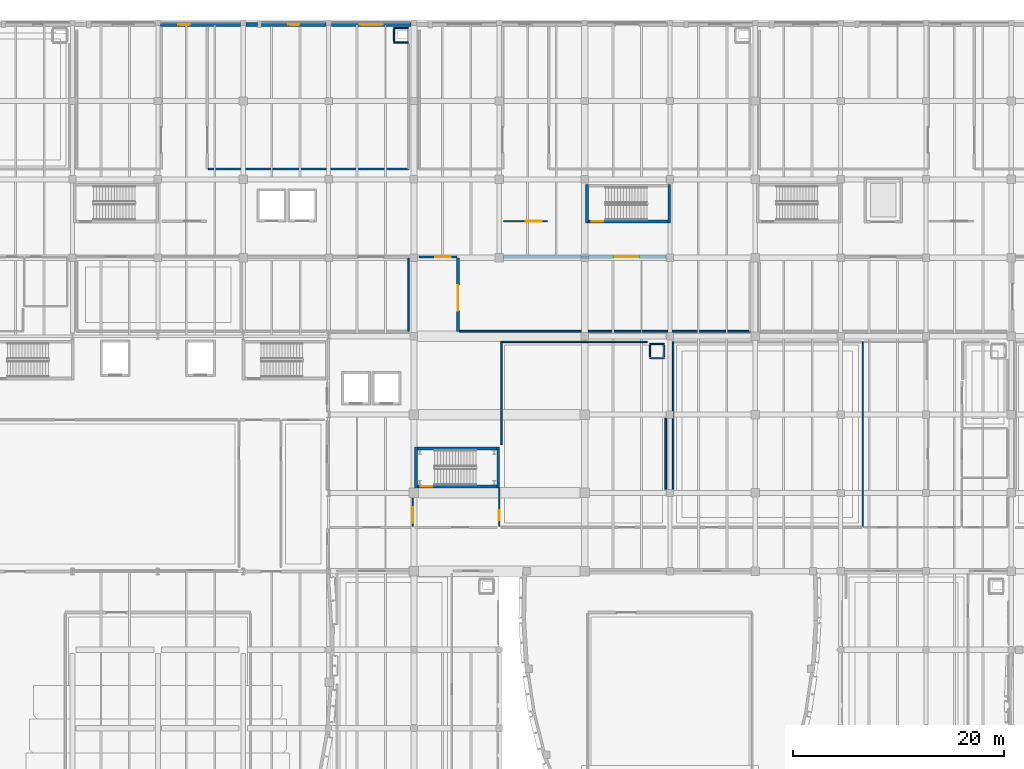
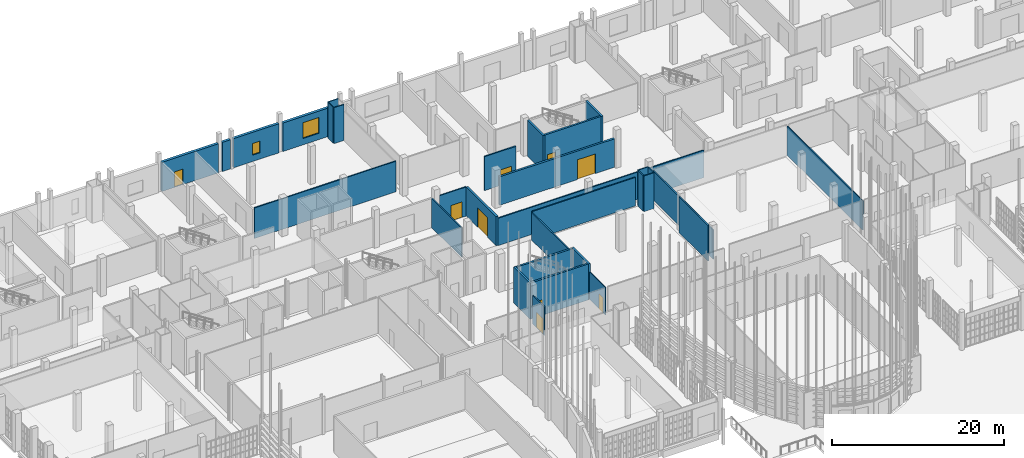
# One storey, part 355 of 372: 32 walls, 9 doors, 2 windows, 11 openings.
"""IFC4 building model written with IfcOpenShell, lengths in metres."""

from ifc_helpers import new_model, si_unit, direction, frame, frame_2d, origin, place, context, subcontext, project, spatial, rectangle, extrude, material, layer, layer_set, type_object, element, fill, save


model = new_model("IFC4")

# Units and contexts
model_context = context("Model", 3, precision=1e-05, world=origin(), true_north=direction((0.0, 1.0)))
body_context = subcontext(model_context, "Body", "Model", "MODEL_VIEW")
ifc_project = project(units=[si_unit("LENGTHUNIT", "METRE"), si_unit("AREAUNIT", "SQUARE_METRE"), si_unit("VOLUMEUNIT", "CUBIC_METRE"), si_unit("PLANEANGLEUNIT", "RADIAN"), si_unit("MASSUNIT", "GRAM", prefix="KILO")], contexts=[model_context])

# Site, building, storey
site_placement = place(None, origin())
site = spatial("IfcSite", under=ifc_project, at=site_placement, CompositionType="ELEMENT")
building_placement = place(site_placement, origin())
building = spatial("IfcBuilding", under=site, at=building_placement, Name="Kaelora Sail Theatre", CompositionType="ELEMENT")
storey_placement = place(building_placement, origin())
storey = spatial("IfcBuildingStorey", under=building, at=storey_placement, Name="L00", CompositionType="ELEMENT", Elevation=0.0)

# Wall, opening, door
ifc_material_1 = material(Name="Concrete C40/50", Category="concrete")
ifc_layer_1 = layer(ifc_material_1, 0.25)
ifc_layer_set_1 = layer_set([ifc_layer_1], Name="Concrete C40/50")
wall_type_1 = type_object("IfcWallType", Name="ARC-WL-CW-250", PredefinedType="SHEAR", material=ifc_layer_set_1)
wall_1_placement = place(storey_placement, frame((82.85498046875, 94.22509765625, 0.0), z_axis=(0.0, 0.0, 1.0), x_axis=(1.0, 0.0, 0.0)))
wall_1 = element("IfcWall", 1, at=wall_1_placement, inside=storey, type_object=wall_type_1, Name="Stair shaft ST-K3 wall L00-S", PredefinedType="SHEAR", context=body_context, shape_type="SweptSolid", body=[
    extrude(rectangle(XDim=7.5400390625, YDim=0.25, at=frame_2d((3.77001953125, 0.0))), origin(), (0.0, 0.0, 1.0), 5.10498046875),
])
opening_1_placement = place(wall_1_placement, frame((0.320068359375, 0.0, 0.0)))
opening_1 = element("IfcOpeningElement", 2, at=opening_1_placement, cuts=wall_1, Name="Opening FD-02", PredefinedType="OPENING", context=body_context, shape_type="SweptSolid", body=[
    extrude(rectangle(XDim=1.10009765625, YDim=2.199951171875, at=frame_2d((0.550048828125, 1.10009765625))), frame((0.0, 0.135, 0.0), z_axis=(0.0, -1.0, 0.0), x_axis=(1.0, 0.0, 0.0)), (0.0, 0.0, 1.0), 0.27),
])
ifc_material_2 = material(Name="Acoustic steel single stair/lobby fire door EI 90-C", Category="steel")
door_type_1 = type_object("IfcDoorType", Name="ARC-DR-FD-02", OperationType="NOTDEFINED", PredefinedType="DOOR", material=ifc_material_2)
door_1_placement = place(opening_1_placement, origin())
door_1 = element("IfcDoor", 3, at=door_1_placement, inside=storey, type_object=door_type_1, Name="Stair ST-K3 door (L00)", OperationType="SINGLE_SWING_RIGHT", OverallHeight=2.199951171875, OverallWidth=1.10009765625, PredefinedType="DOOR", context=body_context, shape_type="SweptSolid", body=[
    extrude(rectangle(XDim=1.10009765625, YDim=2.199951171875, at=frame_2d((0.550048828125, 1.10009765625))), frame((0.0, 0.02490234375, 0.0), z_axis=(0.0, -1.0, 0.0), x_axis=(1.0, 0.0, 0.0)), (0.0, 0.0, 1.0), 0.050048828125),
])
fill(opening_1, door_1)

# Walls
for number, where, z_axis, x_axis, name in (
    (4, (82.72509765625, 94.10009765625, 0.0), (0.0, 0.0, 1.0), (0.0, 1.0, 0.0), "Stair shaft ST-K3 wall L00-W"),
    (5, (90.52490234375, 94.10009765625, 0.0), (0.0, 0.0, 1.0), (0.0, 1.0, 0.0), "Stair shaft ST-K3 wall L00-E"),
):
    element("IfcWall", number, at=place(storey_placement, frame(where, z_axis=z_axis, x_axis=x_axis)), inside=storey, type_object=wall_type_1, Name=name, PredefinedType="SHEAR", context=body_context, shape_type="SweptSolid", body=[
        extrude(rectangle(XDim=3.64990234375, YDim=0.25, at=frame_2d((1.824951171875, 0.0))), origin(), (0.0, 0.0, 1.0), 5.10498046875),
    ])

# Wall, opening, door
wall_2_placement = place(storey_placement, frame((66.625, 69.074951171875, 0.0), z_axis=(0.0, 0.0, 1.0), x_axis=(1.0, 0.0, 0.0)))
wall_2 = element("IfcWall", 6, at=wall_2_placement, inside=storey, type_object=wall_type_1, Name="Stair shaft ST-F1 wall L00-S", PredefinedType="SHEAR", context=body_context, shape_type="SweptSolid", body=[
    extrude(rectangle(XDim=7.5400390625, YDim=0.25, at=frame_2d((3.77001953125, 0.0))), origin(), (0.0, 0.0, 1.0), 5.10498046875),
])
opening_2_placement = place(wall_2_placement, frame((0.320068359375, 0.0, 0.0)))
opening_2 = element("IfcOpeningElement", 7, at=opening_2_placement, cuts=wall_2, Name="Opening FD-02", PredefinedType="OPENING", context=body_context, shape_type="SweptSolid", body=[
    extrude(rectangle(XDim=1.10009765625, YDim=2.199951171875, at=frame_2d((0.550048828125, 1.10009765625))), frame((0.0, 0.135, 0.0), z_axis=(0.0, -1.0, 0.0), x_axis=(1.0, 0.0, 0.0)), (0.0, 0.0, 1.0), 0.27),
])
door_2_placement = place(opening_2_placement, origin())
door_2 = element("IfcDoor", 8, at=door_2_placement, inside=storey, type_object=door_type_1, Name="Stair ST-F1 door (L00)", OperationType="SINGLE_SWING_RIGHT", OverallHeight=2.199951171875, OverallWidth=1.10009765625, PredefinedType="DOOR", context=body_context, shape_type="SweptSolid", body=[
    extrude(rectangle(XDim=1.10009765625, YDim=2.199951171875, at=frame_2d((0.550048828125, 1.10009765625))), frame((0.0, 0.02490234375, 0.0), z_axis=(0.0, -1.0, 0.0), x_axis=(1.0, 0.0, 0.0)), (0.0, 0.0, 1.0), 0.050048828125),
])
fill(opening_2, door_2)

# Walls
wall_3_placement = place(storey_placement, frame((66.625, 72.675048828125, 0.0), z_axis=(0.0, 0.0, 1.0), x_axis=(1.0, 0.0, 0.0)))
element("IfcWall", 9, at=wall_3_placement, inside=storey, type_object=wall_type_1, Name="Stair shaft ST-F1 wall L00-N", PredefinedType="SHEAR", context=body_context, shape_type="SweptSolid", body=[
    extrude(rectangle(XDim=7.5400390625, YDim=0.25, at=frame_2d((3.77001953125, 0.0))), origin(), (0.0, 0.0, 1.0), 5.10498046875),
])
for number, where, z_axis, x_axis, name in (
    (10, (66.4951171875, 68.949951171875, 0.0), (0.0, 0.0, 1.0), (0.0, 1.0, 0.0), "Stair shaft ST-F1 wall L00-W"),
    (11, (74.294921875, 68.949951171875, 0.0), (0.0, 0.0, 1.0), (0.0, 1.0, 0.0), "Stair shaft ST-F1 wall L00-E"),
):
    element("IfcWall", number, at=place(storey_placement, frame(where, z_axis=z_axis, x_axis=x_axis)), inside=storey, type_object=wall_type_1, Name=name, PredefinedType="SHEAR", context=body_context, shape_type="SweptSolid", body=[
        extrude(rectangle(XDim=3.85009765625, YDim=0.25, at=frame_2d((1.925048828125, 0.0))), origin(), (0.0, 0.0, 1.0), 5.10498046875),
    ])

# Wall, opening, door
ifc_material_3 = material(Name="Concrete C45/55", Category="concrete")
ifc_layer_2 = layer(ifc_material_3, 0.35009765625)
ifc_layer_set_2 = layer_set([ifc_layer_2], Name="Concrete C45/55")
wall_type_2 = type_object("IfcWallType", Name="ARC-WL-EW-350", PredefinedType="SOLIDWALL", material=ifc_layer_set_2)
wall_4_placement = place(storey_placement, frame((42.2548828125, 112.919921875, 0.0), z_axis=(0.0, 0.0, 1.0), x_axis=(1.0, 0.0, 0.0)))
wall_4 = element("IfcWall", 12, at=wall_4_placement, inside=storey, type_object=wall_type_2, Name="North Conservatory/Production Facade Wall L00 B06", PredefinedType="SOLIDWALL", context=body_context, shape_type="SweptSolid", body=[
    extrude(rectangle(XDim=7.590087890625, YDim=0.35009765625, at=frame_2d((3.794921875, 0.0))), origin(), (0.0, 0.0, 1.0), 4.136962890625),
])
opening_3_placement = place(wall_4_placement, frame((1.695068359375, 0.0, 0.0)))
opening_3 = element("IfcOpeningElement", 13, at=opening_3_placement, cuts=wall_4, Name="Opening ED-03", PredefinedType="OPENING", context=body_context, shape_type="SweptSolid", body=[
    extrude(rectangle(XDim=1.10009765625, YDim=2.199951171875, at=frame_2d((0.550048828125, 1.10009765625))), frame((0.0, 0.185049, 0.0), z_axis=(0.0, -1.0, 0.0), x_axis=(1.0, 0.0, 0.0)), (0.0, 0.0, 1.0), 0.370098),
])
ifc_material_4 = material(Name="External acoustic steel single exit door", Category="steel")
door_type_2 = type_object("IfcDoorType", Name="ARC-DR-ED-03", OperationType="NOTDEFINED", PredefinedType="DOOR", material=ifc_material_4)
door_3_placement = place(opening_3_placement, origin())
door_3 = element("IfcDoor", 14, at=door_3_placement, inside=storey, type_object=door_type_2, Name="North protected final exit door B06", OperationType="SINGLE_SWING_LEFT", OverallHeight=2.199951171875, OverallWidth=1.10009765625, PredefinedType="DOOR", context=body_context, shape_type="SweptSolid", body=[
    extrude(rectangle(XDim=1.10009765625, YDim=2.199951171875, at=frame_2d((0.550048828125, 1.10009765625))), frame((0.0, 0.02490234375, 0.0), z_axis=(0.0, -1.0, 0.0), x_axis=(1.0, 0.0, 0.0)), (0.0, 0.0, 1.0), 0.050048828125),
])
fill(opening_3, door_3)

# Wall, opening, window
wall_5_placement = place(storey_placement, frame((51.85498046875, 112.919921875, 0.0), z_axis=(0.0, 0.0, 1.0), x_axis=(1.0, 0.0, 0.0)))
wall_5 = element("IfcWall", 15, at=wall_5_placement, inside=storey, type_object=wall_type_2, Name="North Conservatory/Production Facade Wall L00 B07", PredefinedType="SOLIDWALL", context=body_context, shape_type="SweptSolid", body=[
    extrude(rectangle(XDim=6.090087890625, YDim=0.35009765625, at=frame_2d((3.044921875, 0.0))), origin(), (0.0, 0.0, 1.0), 4.136962890625),
])
opening_4_placement = place(wall_5_placement, frame((2.52001953125, 0.0, 0.89990234375)))
opening_4 = element("IfcOpeningElement", 16, at=opening_4_placement, cuts=wall_5, Name="Opening W-21", PredefinedType="OPENING", context=body_context, shape_type="SweptSolid", body=[
    extrude(rectangle(XDim=1.050048828125, YDim=1.64990234375, at=frame_2d((0.52490234375, 0.824951171875))), frame((0.0, 0.185049, 0.0), z_axis=(0.0, -1.0, 0.0), x_axis=(1.0, 0.0, 0.0)), (0.0, 0.0, 1.0), 0.370098),
])
ifc_material_5 = material(Name="Thermally broken aluminium and low-E double glazing", Category="aluminium")
window_type_1 = type_object("IfcWindowType", Name="ARC-WIN-W-21", PartitioningType="SINGLE_PANEL", PredefinedType="WINDOW", material=ifc_material_5)
window_1_placement = place(opening_4_placement, origin())
window_1 = element("IfcWindow", 17, at=window_1_placement, inside=storey, type_object=window_type_1, Name="North facade window L00 B07", OverallHeight=1.64990234375, OverallWidth=1.050048828125, PartitioningType="SINGLE_PANEL", PredefinedType="WINDOW", context=body_context, shape_type="SweptSolid", body=[
    extrude(rectangle(XDim=1.050048828125, YDim=1.64990234375, at=frame_2d((0.52490234375, 0.824951171875))), frame((0.0, 0.030029296875, 0.0), z_axis=(0.0, -1.0, 0.0), x_axis=(1.0, 0.0, 0.0)), (0.0, 0.0, 1.0), 0.06005859375),
])
fill(opening_4, window_1)

# Wall
wall_6_placement = place(storey_placement, frame((50.35498046875, 112.919921875, 0.0), z_axis=(0.0, 0.0, 1.0), x_axis=(1.0, 0.0, 0.0)))
element("IfcWall", 18, at=wall_6_placement, inside=storey, type_object=wall_type_2, Name="North Facade Pilaster Spandrel Pier L00 B07", PredefinedType="SOLIDWALL", context=body_context, shape_type="SweptSolid", body=[
    extrude(rectangle(XDim=1.090087890625, YDim=0.35009765625, at=frame_2d((0.544921875, 0.0))), origin(), (0.0, 0.0, 1.0), 4.136962890625),
])

# Wall, opening, window
wall_7_placement = place(storey_placement, frame((58.455078125, 112.919921875, 0.0), z_axis=(0.0, 0.0, 1.0), x_axis=(1.0, 0.0, 0.0)))
wall_7 = element("IfcWall", 19, at=wall_7_placement, inside=storey, type_object=wall_type_2, Name="North Conservatory/Production Facade Wall L00 B08", PredefinedType="SOLIDWALL", context=body_context, shape_type="SweptSolid", body=[
    extrude(rectangle(XDim=7.58984375, YDim=0.35009765625, at=frame_2d((3.794921875, 0.0))), origin(), (0.0, 0.0, 1.0), 4.037109375),
])
opening_5_placement = place(wall_7_placement, frame((2.719970703125, 0.0, 0.89990234375)))
opening_5 = element("IfcOpeningElement", 20, at=opening_5_placement, cuts=wall_7, Name="Opening W-24", PredefinedType="OPENING", context=body_context, shape_type="SweptSolid", body=[
    extrude(rectangle(XDim=2.14990234375, YDim=2.25, at=frame_2d((1.074951171875, 1.125))), frame((0.0, 0.185049, 0.0), z_axis=(0.0, -1.0, 0.0), x_axis=(1.0, 0.0, 0.0)), (0.0, 0.0, 1.0), 0.370098),
])
ifc_material_6 = material(Name="Thermally broken aluminium and low-E double glazing", Category="aluminium")
window_type_2 = type_object("IfcWindowType", Name="ARC-WIN-W-24", PartitioningType="SINGLE_PANEL", PredefinedType="WINDOW", material=ifc_material_6)
window_2_placement = place(opening_5_placement, origin())
window_2 = element("IfcWindow", 21, at=window_2_placement, inside=storey, type_object=window_type_2, Name="North facade window L00 B08", OverallHeight=2.25, OverallWidth=2.14990234375, PartitioningType="SINGLE_PANEL", PredefinedType="WINDOW", context=body_context, shape_type="SweptSolid", body=[
    extrude(rectangle(XDim=2.14990234375, YDim=2.25, at=frame_2d((1.074951171875, 1.125))), frame((0.0, 0.030029296875, 0.0), z_axis=(0.0, -1.0, 0.0), x_axis=(1.0, 0.0, 0.0)), (0.0, 0.0, 1.0), 0.06005859375),
])
fill(opening_5, window_2)

# Wall, opening, door
ifc_material_7 = material(Name="Sanitary moisture-resistant partition 100 mm", Category="gypsum")
ifc_layer_3 = layer(ifc_material_7, 0.10009765625)
ifc_layer_set_3 = layer_set([ifc_layer_3], Name="Sanitary moisture-resistant partition 100 mm")
wall_type_3 = type_object("IfcWallType", Name="ARC-WL-PT-100", PredefinedType="PARTITIONING", material=ifc_layer_set_3)
wall_8_placement = place(storey_placement, frame((74.39990234375, 65.300048828125, 0.0), z_axis=(0.0, 0.0, 1.0), x_axis=(0.0, 1.0, 0.0)))
wall_8 = element("IfcWall", 22, at=wall_8_placement, inside=storey, type_object=wall_type_3, Name="Interior acoustic partition L00-COR-STF1/L00-FOY-EXH", PredefinedType="PARTITIONING", context=body_context, shape_type="SweptSolid", body=[
    extrude(rectangle(XDim=3.64990234375, YDim=0.10009765625, at=frame_2d((1.824951171875, 0.0))), origin(), (0.0, 0.0, 1.0), 3.886962890625),
])
opening_6_placement = place(wall_8_placement, frame((0.580078125, 0.0, 0.0)))
opening_6 = element("IfcOpeningElement", 23, at=opening_6_placement, cuts=wall_8, Name="Opening ID-02", PredefinedType="OPENING", context=body_context, shape_type="SweptSolid", body=[
    extrude(rectangle(XDim=0.949951171875, YDim=2.14990234375, at=frame_2d((0.47509765625, 1.074951171875))), frame((0.0, 0.060049, 0.0), z_axis=(0.0, -1.0, 0.0), x_axis=(1.0, 0.0, 0.0)), (0.0, 0.0, 1.0), 0.120098),
])
ifc_material_8 = material(Name="Timber dressing and office single door", Category="wood")
door_type_3 = type_object("IfcDoorType", Name="ARC-DR-ID-02", OperationType="NOTDEFINED", PredefinedType="DOOR", material=ifc_material_8)
door_4_placement = place(opening_6_placement, origin())
door_4 = element("IfcDoor", 24, at=door_4_placement, inside=storey, type_object=door_type_3, Name="Interior door L00-COR-STF1 to L00-FOY-EXH", OperationType="SINGLE_SWING_LEFT", OverallHeight=2.14990234375, OverallWidth=0.949951171875, PredefinedType="DOOR", context=body_context, shape_type="SweptSolid", body=[
    extrude(rectangle(XDim=0.949951171875, YDim=2.14990234375, at=frame_2d((0.47509765625, 1.074951171875))), frame((0.0, 0.02490234375, 0.0), z_axis=(0.0, -1.0, 0.0), x_axis=(1.0, 0.0, 0.0)), (0.0, 0.0, 1.0), 0.050048828125),
])
fill(opening_6, door_4)

# Walls
ifc_material_9 = material(Name="Standard metal-stud partition 120 mm", Category="gypsum")
ifc_layer_4 = layer(ifc_material_9, 0.1201171875)
ifc_layer_set_4 = layer_set([ifc_layer_4], Name="Standard metal-stud partition 120 mm")
wall_type_4 = type_object("IfcWallType", Name="ARC-WL-PT-120", PredefinedType="PARTITIONING", material=ifc_layer_set_4)
for number, where, z_axis, x_axis, name in (
    (25, (64.405029296875, 111.219970703125, 0.0), (0.0, 0.0, 1.0), (1.0, 0.0, 0.0), "MEP riser shaft wall NW2-L00-S"),
    (26, (64.405029296875, 112.580078125, 0.0), (0.0, 0.0, 1.0), (1.0, 0.0, 0.0), "MEP riser shaft wall NW2-L00-N"),
):
    element("IfcWall", number, at=place(storey_placement, frame(where, z_axis=z_axis, x_axis=x_axis)), inside=storey, type_object=wall_type_4, Name=name, PredefinedType="PARTITIONING", context=body_context, shape_type="SweptSolid", body=[
        extrude(rectangle(XDim=1.35986328125, YDim=0.1201171875, at=frame_2d((0.679931640625, 0.0))), origin(), (0.0, 0.0, 1.0), 5.0849609375),
    ])
wall_9_placement = place(storey_placement, frame((64.405029296875, 111.340087890625, 0.0), z_axis=(0.0, 0.0, 1.0), x_axis=(0.0, 1.0, 0.0)))
element("IfcWall", 27, at=wall_9_placement, inside=storey, type_object=wall_type_4, Name="MEP riser shaft wall NW2-L00-W", PredefinedType="PARTITIONING", context=body_context, shape_type="SweptSolid", body=[
    extrude(rectangle(XDim=1.119873046875, YDim=0.1201171875, at=frame_2d((0.56005859375, 0.0))), origin(), (0.0, 0.0, 1.0), 5.0849609375),
])
for number, where, z_axis, x_axis, name in (
    (28, (88.705078125, 81.2451171875, 0.0), (0.0, 0.0, 1.0), (1.0, 0.0, 0.0), "MEP riser shaft wall FC1-L00-S"),
    (29, (88.705078125, 82.60498046875, 0.0), (0.0, 0.0, 1.0), (1.0, 0.0, 0.0), "MEP riser shaft wall FC1-L00-N"),
):
    element("IfcWall", number, at=place(storey_placement, frame(where, z_axis=z_axis, x_axis=x_axis)), inside=storey, type_object=wall_type_4, Name=name, PredefinedType="PARTITIONING", context=body_context, shape_type="SweptSolid", body=[
        extrude(rectangle(XDim=1.35986328125, YDim=0.1201171875, at=frame_2d((0.679931640625, 0.0))), origin(), (0.0, 0.0, 1.0), 5.0849609375),
    ])
for number, where, z_axis, x_axis, name in (
    (30, (88.705078125, 81.364990234375, 0.0), (0.0, 0.0, 1.0), (0.0, 1.0, 0.0), "MEP riser shaft wall FC1-L00-W"),
    (31, (90.06494140625, 81.364990234375, 0.0), (0.0, 0.0, 1.0), (0.0, 1.0, 0.0), "MEP riser shaft wall FC1-L00-E"),
):
    element("IfcWall", number, at=place(storey_placement, frame(where, z_axis=z_axis, x_axis=x_axis)), inside=storey, type_object=wall_type_4, Name=name, PredefinedType="PARTITIONING", context=body_context, shape_type="SweptSolid", body=[
        extrude(rectangle(XDim=1.1201171875, YDim=0.1201171875, at=frame_2d((0.56005859375, 0.0))), origin(), (0.0, 0.0, 1.0), 5.0849609375),
    ])
ifc_material_10 = material(Name="Dressing room acoustic partition 130 mm", Category="gypsum")
ifc_layer_5 = layer(ifc_material_10, 0.1298828125)
ifc_layer_set_5 = layer_set([ifc_layer_5], Name="Dressing room acoustic partition 130 mm")
wall_type_5 = type_object("IfcWallType", Name="ARC-WL-PT-130", PredefinedType="PARTITIONING", material=ifc_layer_set_5)
wall_10_placement = place(storey_placement, frame((108.89990234375, 65.300048828125, 0.0), z_axis=(0.0, 0.0, 1.0), x_axis=(0.0, 1.0, 0.0)))
element("IfcWall", 32, at=wall_10_placement, inside=storey, type_object=wall_type_5, Name="Interior acoustic partition L00-BAR-STALLS/L00-WC-F1", PredefinedType="PARTITIONING", context=body_context, shape_type="SweptSolid", body=[
    extrude(rectangle(XDim=17.5, YDim=0.1298828125, at=frame_2d((8.75, 0.0))), origin(), (0.0, 0.0, 1.0), 4.136962890625),
])

# Wall, opening, door
ifc_material_11 = material(Name="Fire-rated stud partition 140 mm", Category="gypsum")
ifc_layer_6 = layer(ifc_material_11, 0.139892578125)
ifc_layer_set_6 = layer_set([ifc_layer_6], Name="Fire-rated stud partition 140 mm")
wall_type_6 = type_object("IfcWallType", Name="ARC-WL-PT-140", PredefinedType="PARTITIONING", material=ifc_layer_set_6)
wall_11_placement = place(storey_placement, frame((66.199951171875, 65.300048828125, 0.0), z_axis=(0.0, 0.0, 1.0), x_axis=(0.0, 1.0, 0.0)))
wall_11 = element("IfcWall", 33, at=wall_11_placement, inside=storey, type_object=wall_type_6, Name="Interior acoustic partition L00-COR-LINK/L00-COR-STF1", PredefinedType="PARTITIONING", context=body_context, shape_type="SweptSolid", body=[
    extrude(rectangle(XDim=2.704833984375, YDim=0.139892578125, at=frame_2d((1.3525390625, 0.0))), origin(), (0.0, 0.0, 1.0), 4.037109375),
])
opening_7_placement = place(wall_11_placement, frame((0.320068359375, 0.0, 0.0)))
opening_7 = element("IfcOpeningElement", 34, at=opening_7_placement, cuts=wall_11, Name="Opening FD-01", PredefinedType="OPENING", context=body_context, shape_type="SweptSolid", body=[
    extrude(rectangle(XDim=1.5, YDim=2.199951171875, at=frame_2d((0.75, 1.10009765625))), frame((0.0, 0.079824, 0.0), z_axis=(0.0, -1.0, 0.0), x_axis=(1.0, 0.0, 0.0)), (0.0, 0.0, 1.0), 0.159893),
])
ifc_material_12 = material(Name="Acoustic steel double fire door EI 90-C", Category="steel")
door_type_4 = type_object("IfcDoorType", Name="ARC-DR-FD-01", OperationType="NOTDEFINED", PredefinedType="DOOR", material=ifc_material_12)
door_5_placement = place(opening_7_placement, origin())
door_5 = element("IfcDoor", 35, at=door_5_placement, inside=storey, type_object=door_type_4, Name="Interior door L00-COR-LINK to L00-COR-STF1", OperationType="DOUBLE_DOOR_SINGLE_SWING", OverallHeight=2.199951171875, OverallWidth=1.5, PredefinedType="DOOR", context=body_context, shape_type="SweptSolid", body=[
    extrude(rectangle(XDim=1.5, YDim=2.199951171875, at=frame_2d((0.75, 1.10009765625))), frame((0.0, 0.02490234375, 0.0), z_axis=(0.0, -1.0, 0.0), x_axis=(1.0, 0.0, 0.0)), (0.0, 0.0, 1.0), 0.050048828125),
])
fill(opening_7, door_5)

ifc_material_13 = material(Name="Acoustic metal-stud plasterboard 160 mm", Category="gypsum")
ifc_layer_7 = layer(ifc_material_13, 0.159912109375)
ifc_layer_set_7 = layer_set([ifc_layer_7], Name="Acoustic metal-stud plasterboard 160 mm")
wall_type_7 = type_object("IfcWallType", Name="ARC-WL-PT-160", PredefinedType="PARTITIONING", material=ifc_layer_set_7)
wall_12_placement = place(storey_placement, frame((66.800048828125, 90.85009765625, 0.0), z_axis=(0.0, 0.0, 1.0), x_axis=(1.0, 0.0, 0.0)))
wall_12 = element("IfcWall", 36, at=wall_12_placement, inside=storey, type_object=wall_type_7, Name="Interior acoustic partition L00-COR-NLINKC/L00-COR-BOH", PredefinedType="PARTITIONING", context=body_context, shape_type="SweptSolid", body=[
    extrude(rectangle(XDim=3.599853515625, YDim=0.159912109375, at=frame_2d((1.7998046875, 0.0))), origin(), (0.0, 0.0, 1.0), 4.136962890625),
])
opening_8_placement = place(wall_12_placement, frame((1.52001953125, 0.0, 0.0)))
opening_8 = element("IfcOpeningElement", 37, at=opening_8_placement, cuts=wall_12, Name="Opening FD-01", PredefinedType="OPENING", context=body_context, shape_type="SweptSolid", body=[
    extrude(rectangle(XDim=1.5, YDim=2.199951171875, at=frame_2d((0.75, 1.10009765625))), frame((0.0, 0.090078, 0.0), z_axis=(0.0, -1.0, 0.0), x_axis=(1.0, 0.0, 0.0)), (0.0, 0.0, 1.0), 0.179912),
])
door_6_placement = place(opening_8_placement, origin())
door_6 = element("IfcDoor", 38, at=door_6_placement, inside=storey, type_object=door_type_4, Name="Interior door L00-COR-NLINKC to L00-COR-BOH", OperationType="DOUBLE_DOOR_SINGLE_SWING", OverallHeight=2.199951171875, OverallWidth=1.5, PredefinedType="DOOR", context=body_context, shape_type="SweptSolid", body=[
    extrude(rectangle(XDim=1.5, YDim=2.199951171875, at=frame_2d((0.75, 1.10009765625))), frame((0.0, 0.02490234375, 0.0), z_axis=(0.0, -1.0, 0.0), x_axis=(1.0, 0.0, 0.0)), (0.0, 0.0, 1.0), 0.050048828125),
])
fill(opening_8, door_6)

# Walls
wall_13_placement = place(storey_placement, frame((74.60009765625, 82.800048828125, 0.0), z_axis=(0.0, 0.0, 1.0), x_axis=(1.0, 0.0, 0.0)))
element("IfcWall", 39, at=wall_13_placement, inside=storey, type_object=wall_type_7, Name="Room enclosure wall L00-FOY-EXH-N1", PredefinedType="PARTITIONING", context=body_context, shape_type="SweptSolid", body=[
    extrude(rectangle(XDim=13.85498046875, YDim=0.159912109375, at=frame_2d((6.927490234375, 0.0))), origin(), (0.0, 0.0, 1.0), 4.037109375),
])
wall_14_placement = place(storey_placement, frame((74.60009765625, 73.050048828125, 0.0), z_axis=(0.0, 0.0, 1.0), x_axis=(0.0, 1.0, 0.0)))
element("IfcWall", 40, at=wall_14_placement, inside=storey, type_object=wall_type_7, Name="Room enclosure wall L00-FOY-EXH-W1", PredefinedType="PARTITIONING", context=body_context, shape_type="SweptSolid", body=[
    extrude(rectangle(XDim=9.75, YDim=0.159912109375, at=frame_2d((4.875, 0.0))), origin(), (0.0, 0.0, 1.0), 3.886962890625),
])
wall_15_placement = place(storey_placement, frame((90.199951171875, 68.830078125, 0.0), z_axis=(0.0, 0.0, 1.0), x_axis=(0.0, 1.0, 0.0)))
element("IfcWall", 41, at=wall_15_placement, inside=storey, type_object=wall_type_7, Name="Room enclosure wall L00-FOY-EXH-E1", PredefinedType="PARTITIONING", context=body_context, shape_type="SweptSolid", body=[
    extrude(rectangle(XDim=6.699951171875, YDim=0.159912109375, at=frame_2d((3.35009765625, 0.0))), origin(), (0.0, 0.0, 1.0), 5.0849609375),
])
wall_16_placement = place(storey_placement, frame((90.89990234375, 68.830078125, 0.0), z_axis=(0.0, 0.0, 1.0), x_axis=(0.0, 1.0, 0.0)))
element("IfcWall", 42, at=wall_16_placement, inside=storey, type_object=wall_type_7, Name="Room enclosure wall L00-BAR-STALLS-W1", PredefinedType="PARTITIONING", context=body_context, shape_type="SweptSolid", body=[
    extrude(rectangle(XDim=13.969970703125, YDim=0.159912109375, at=frame_2d((6.98486328125, 0.0))), origin(), (0.0, 0.0, 1.0), 4.136962890625),
])
wall_17_placement = place(storey_placement, frame((65.800048828125, 83.800048828125, 0.0), z_axis=(0.0, 0.0, 1.0), x_axis=(0.0, 1.0, 0.0)))
element("IfcWall", 43, at=wall_17_placement, inside=storey, type_object=wall_type_7, Name="Room enclosure wall L00-QUICK-BOH-E1", PredefinedType="PARTITIONING", context=body_context, shape_type="SweptSolid", body=[
    extrude(rectangle(XDim=6.949951171875, YDim=0.159912109375, at=frame_2d((3.47509765625, 0.0))), origin(), (0.0, 0.0, 1.0), 4.136962890625),
])
wall_18_placement = place(storey_placement, frame((46.800048828125, 99.199951171875, 0.0), z_axis=(0.0, 0.0, 1.0), x_axis=(1.0, 0.0, 0.0)))
element("IfcWall", 44, at=wall_18_placement, inside=storey, type_object=wall_type_7, Name="Room enclosure wall L00-SCENE-DOCK-S1", PredefinedType="PARTITIONING", context=body_context, shape_type="SweptSolid", body=[
    extrude(rectangle(XDim=19.0, YDim=0.159912109375, at=frame_2d((9.5, 0.0))), origin(), (0.0, 0.0, 1.0), 4.3369140625),
])
wall_19_placement = place(storey_placement, frame((70.60009765625, 83.800048828125, 0.0), z_axis=(0.0, 0.0, 1.0), x_axis=(1.0, 0.0, 0.0)))
element("IfcWall", 45, at=wall_19_placement, inside=storey, type_object=wall_type_7, Name="Room enclosure wall L00-TOOL-BOH-S1", PredefinedType="PARTITIONING", context=body_context, shape_type="SweptSolid", body=[
    extrude(rectangle(XDim=27.599853515625, YDim=0.159912109375, at=frame_2d((13.7998046875, 0.0))), origin(), (0.0, 0.0, 1.0), 3.886962890625),
])

# Wall, opening, door
ifc_material_14 = material(Name="Rehearsal double-stud partition 185 mm", Category="gypsum")
ifc_layer_8 = layer(ifc_material_14, 0.18505859375)
ifc_layer_set_8 = layer_set([ifc_layer_8], Name="Rehearsal double-stud partition 185 mm")
wall_type_8 = type_object("IfcWallType", Name="ARC-WL-PT-185", PredefinedType="PARTITIONING", material=ifc_layer_set_8)
wall_20_placement = place(storey_placement, frame((74.800048828125, 94.25, 0.0), z_axis=(0.0, 0.0, 1.0), x_axis=(1.0, 0.0, 0.0)))
wall_20 = element("IfcWall", 46, at=wall_20_placement, inside=storey, type_object=wall_type_8, Name="Interior acoustic partition L00-COR-BOH/L00-COR-SP3", PredefinedType="PARTITIONING", context=body_context, shape_type="SweptSolid", body=[
    extrude(rectangle(XDim=4.199951171875, YDim=0.18505859375, at=frame_2d((2.10009765625, 0.0))), origin(), (0.0, 0.0, 1.0), 4.81689453125),
])
opening_9_placement = place(wall_20_placement, frame((2.1201171875, 0.0, 0.0)))
opening_9 = element("IfcOpeningElement", 47, at=opening_9_placement, cuts=wall_20, Name="Opening FD-01", PredefinedType="OPENING", context=body_context, shape_type="SweptSolid", body=[
    extrude(rectangle(XDim=1.5, YDim=2.199951171875, at=frame_2d((0.75, 1.10009765625))), frame((0.0, 0.102529, 0.0), z_axis=(0.0, -1.0, 0.0), x_axis=(1.0, 0.0, 0.0)), (0.0, 0.0, 1.0), 0.205059),
])
door_7_placement = place(opening_9_placement, origin())
door_7 = element("IfcDoor", 48, at=door_7_placement, inside=storey, type_object=door_type_4, Name="Interior door L00-COR-BOH to L00-COR-SP3", OperationType="DOUBLE_DOOR_SINGLE_SWING", OverallHeight=2.199951171875, OverallWidth=1.5, PredefinedType="DOOR", context=body_context, shape_type="SweptSolid", body=[
    extrude(rectangle(XDim=1.5, YDim=2.199951171875, at=frame_2d((0.75, 1.10009765625))), frame((0.0, 0.02490234375, 0.0), z_axis=(0.0, -1.0, 0.0), x_axis=(1.0, 0.0, 0.0)), (0.0, 0.0, 1.0), 0.050048828125),
])
fill(opening_9, door_7)

ifc_material_15 = material(Name="Concrete C45/55", Category="concrete")
ifc_layer_9 = layer(ifc_material_15, 0.27001953125)
ifc_layer_set_9 = layer_set([ifc_layer_9], Name="Concrete C45/55")
wall_type_9 = type_object("IfcWallType", Name="ARC-WL-PW-270", PredefinedType="SOLIDWALL", material=ifc_layer_set_9)
wall_21_placement = place(storey_placement, frame((70.5, 83.800048828125, 0.0), z_axis=(0.0, 0.0, 1.0), x_axis=(0.0, 1.0, 0.0)))
wall_21 = element("IfcWall", 49, at=wall_21_placement, inside=storey, type_object=wall_type_9, Name="Interior acoustic partition L00-COR-NLINKC/L00-TOOL-BOH", PredefinedType="SOLIDWALL", context=body_context, shape_type="SweptSolid", body=[
    extrude(rectangle(XDim=6.949951171875, YDim=0.27001953125, at=frame_2d((3.47509765625, 0.0))), origin(), (0.0, 0.0, 1.0), 4.136962890625),
])
opening_10_placement = place(wall_21_placement, frame((1.97607421875, 0.0, 0.0)))
opening_10 = element("IfcOpeningElement", 50, at=opening_10_placement, cuts=wall_21, Name="Opening ID-05", PredefinedType="OPENING", context=body_context, shape_type="SweptSolid", body=[
    extrude(rectangle(XDim=2.39990234375, YDim=2.800048828125, at=frame_2d((1.199951171875, 1.39990234375))), frame((0.0, 0.14501, 0.0), z_axis=(0.0, -1.0, 0.0), x_axis=(1.0, 0.0, 0.0)), (0.0, 0.0, 1.0), 0.29002),
])
ifc_material_16 = material(Name="Scenery workshop oversize acoustic double door", Category="steel")
door_type_5 = type_object("IfcDoorType", Name="ARC-DR-ID-05", OperationType="NOTDEFINED", PredefinedType="DOOR", material=ifc_material_16)
door_8_placement = place(opening_10_placement, origin())
door_8 = element("IfcDoor", 51, at=door_8_placement, inside=storey, type_object=door_type_5, Name="Interior door L00-COR-NLINKC to L00-TOOL-BOH", OperationType="DOUBLE_DOOR_SINGLE_SWING", OverallHeight=2.800048828125, OverallWidth=2.39990234375, PredefinedType="DOOR", context=body_context, shape_type="SweptSolid", body=[
    extrude(rectangle(XDim=2.39990234375, YDim=2.800048828125, at=frame_2d((1.199951171875, 1.39990234375))), frame((0.0, 0.02490234375, 0.0), z_axis=(0.0, -1.0, 0.0), x_axis=(1.0, 0.0, 0.0)), (0.0, 0.0, 1.0), 0.050048828125),
])
fill(opening_10, door_8)

wall_22_placement = place(storey_placement, frame((74.804931640625, 90.85009765625, 0.0), z_axis=(0.0, 0.0, 1.0), x_axis=(1.0, 0.0, 0.0)))
wall_22 = element("IfcWall", 52, at=wall_22_placement, inside=storey, type_object=wall_type_9, Name="Interior acoustic partition L00-COR-BOH/L00-TOOL-BOH", PredefinedType="SOLIDWALL", context=body_context, shape_type="SweptSolid", body=[
    extrude(rectangle(XDim=15.440185546875, YDim=0.27001953125, at=frame_2d((7.72021484375, 0.0))), origin(), (0.0, 0.0, 1.0), 4.037109375),
])
opening_11_placement = place(wall_22_placement, frame((10.47998046875, 0.0, 0.0)))
opening_11 = element("IfcOpeningElement", 53, at=opening_11_placement, cuts=wall_22, Name="Opening ID-05", PredefinedType="OPENING", context=body_context, shape_type="SweptSolid", body=[
    extrude(rectangle(XDim=2.39990234375, YDim=2.800048828125, at=frame_2d((1.199951171875, 1.39990234375))), frame((0.0, 0.14501, 0.0), z_axis=(0.0, -1.0, 0.0), x_axis=(1.0, 0.0, 0.0)), (0.0, 0.0, 1.0), 0.29002),
])
door_9_placement = place(opening_11_placement, origin())
door_9 = element("IfcDoor", 54, at=door_9_placement, inside=storey, type_object=door_type_5, Name="Interior door L00-COR-BOH to L00-TOOL-BOH", OperationType="DOUBLE_DOOR_SINGLE_SWING", OverallHeight=2.800048828125, OverallWidth=2.39990234375, PredefinedType="DOOR", context=body_context, shape_type="SweptSolid", body=[
    extrude(rectangle(XDim=2.39990234375, YDim=2.800048828125, at=frame_2d((1.199951171875, 1.39990234375))), frame((0.0, 0.02490234375, 0.0), z_axis=(0.0, -1.0, 0.0), x_axis=(1.0, 0.0, 0.0)), (0.0, 0.0, 1.0), 0.050048828125),
])
fill(opening_11, door_9)

save(model, "model.ifc")
